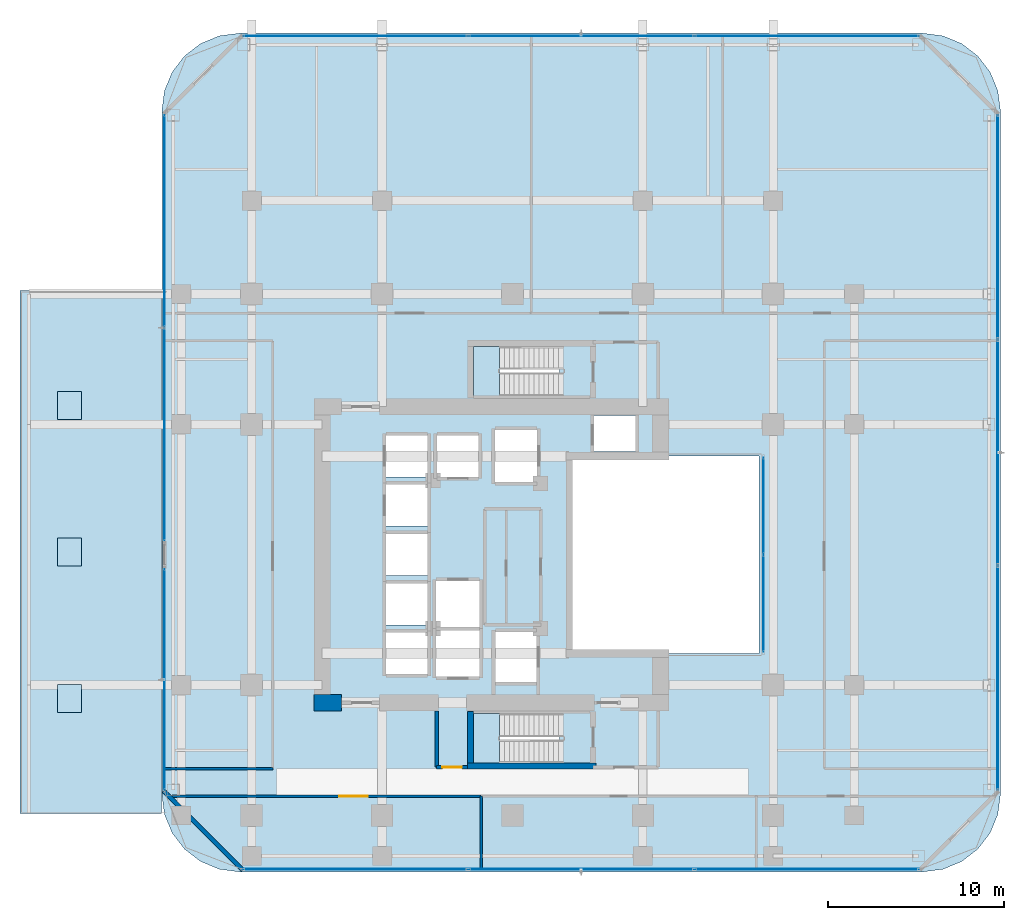
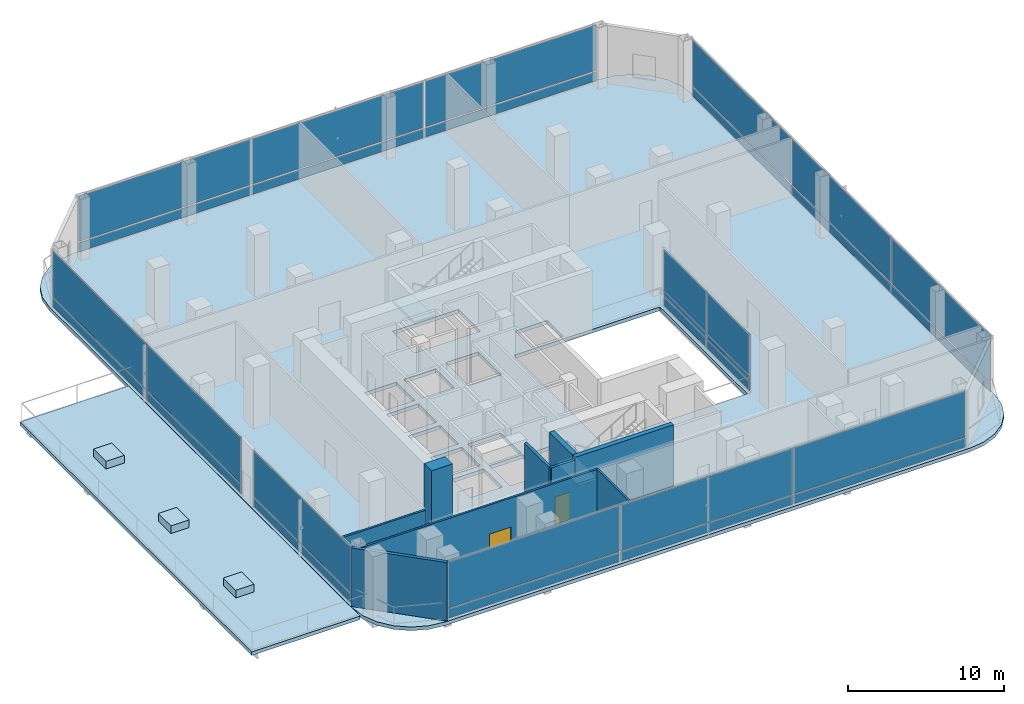
# One storey, part 20 of 28: 28 plates, 9 walls, 7 slabs, 2 doors, 2 openings, 8 elements without a shape of their own.
"""IFC4 building model written with IfcOpenShell, lengths in metres."""

from ifc_helpers import new_model, si_unit, direction, frame, frame_2d, origin, origin_2d, place, context, subcontext, project, spatial, polyline, rectangle, outline, extrude, material, layer, layer_set, type_object, element, fill, aggregate, save


model = new_model("IFC4")

# Units and contexts
model_context = context("Model", 3, precision=1e-05, world=origin(), true_north=direction((0.0, 1.0)))
body_context = subcontext(model_context, "Body", "Model", "MODEL_VIEW")
ifc_project = project(units=[si_unit("LENGTHUNIT", "METRE"), si_unit("AREAUNIT", "SQUARE_METRE"), si_unit("VOLUMEUNIT", "CUBIC_METRE"), si_unit("PLANEANGLEUNIT", "RADIAN"), si_unit("MASSUNIT", "GRAM", prefix="KILO")], contexts=[model_context])

# Site, building, storey
site_placement = place(None, origin())
site = spatial("IfcSite", under=ifc_project, at=site_placement, CompositionType="ELEMENT")
building_placement = place(site_placement, origin())
building = spatial("IfcBuilding", under=site, at=building_placement, Name="Khorvyn Point Tower", CompositionType="ELEMENT")
storey_placement = place(building_placement, frame((0.0, 0.0, 108.60009765625)))
storey = spatial("IfcBuildingStorey", under=building, at=storey_placement, Name="L27", CompositionType="ELEMENT", Elevation=108.60009765625)

# Slabs
ifc_material_1 = material(Name="Concrete C35/45", Category="concrete")
ifc_layer_1 = layer(ifc_material_1, 0.239990234375)
ifc_layer_set_1 = layer_set([ifc_layer_1], Name="Concrete C35/45 Setback Terrace Roof Slab 240")
slab_type_1 = type_object("IfcSlabType", Name="Concrete C35/45 Setback Terrace Roof Slab 240", PredefinedType="ROOF", material=ifc_layer_set_1)
slab_1_placement = place(storey_placement, frame((0.0, 0.0, -0.280029296875)))
element("IfcSlab", 1, at=slab_1_placement, inside=storey, type_object=slab_type_1, Name="L27 West Jenga Setback Sky-Garden Terrace", PredefinedType="ROOF", context=body_context, shape_type="SweptSolid", body=[
    extrude(outline(polyline([(-27.949951171875, -14.699951171875), (-19.919921875, -14.699951171875), (-19.919921875, 15.0), (-27.949951171875, 15.0), (-27.949951171875, -14.699951171875)])), origin(), (0.0, 0.0, 1.0), 0.280029296875),
])
ifc_layer_2 = layer(ifc_material_1, 0.60009765625)
ifc_layer_set_2 = layer_set([ifc_layer_2], Name="Concrete C35/45 Terrace Tree Planter 600")
slab_type_2 = type_object("IfcSlabType", Name="Concrete C35/45 Terrace Tree Planter 600", PredefinedType="USERDEFINED", material=ifc_layer_set_2)
slab_2_placement = place(storey_placement, origin())
element("IfcSlab", 2, at=slab_2_placement, inside=storey, type_object=slab_type_2, Name="L27 Sky-Terrace Structural Tree Planter 1", ObjectType="PLANTER", PredefinedType="USERDEFINED", context=body_context, shape_type="SweptSolid", body=[
    extrude(outline(polyline([(-25.814453125, -8.966064453125), (-24.464599609375, -8.966064453125), (-24.464599609375, -7.365966796875), (-25.814453125, -7.365966796875), (-25.814453125, -8.966064453125)])), origin(), (0.0, 0.0, 1.0), 0.599853515625),
])
slab_3_placement = place(storey_placement, origin())
element("IfcSlab", 3, at=slab_3_placement, inside=storey, type_object=slab_type_2, Name="L27 Sky-Terrace Structural Tree Planter 2", ObjectType="PLANTER", PredefinedType="USERDEFINED", context=body_context, shape_type="SweptSolid", body=[
    extrude(outline(polyline([(-25.814453125, -0.64990234375), (-24.464599609375, -0.64990234375), (-24.464599609375, 0.949951171875), (-25.814453125, 0.949951171875), (-25.814453125, -0.64990234375)])), origin(), (0.0, 0.0, 1.0), 0.599853515625),
])
slab_4_placement = place(storey_placement, origin())
element("IfcSlab", 4, at=slab_4_placement, inside=storey, type_object=slab_type_2, Name="L27 Sky-Terrace Structural Tree Planter 3", ObjectType="PLANTER", PredefinedType="USERDEFINED", context=body_context, shape_type="SweptSolid", body=[
    extrude(outline(polyline([(-25.814453125, 7.666015625), (-24.464599609375, 7.666015625), (-24.464599609375, 9.26611328125), (-25.814453125, 9.26611328125), (-25.814453125, 7.666015625)])), origin(), (0.0, 0.0, 1.0), 0.599853515625),
])

# Stair, slab
ifc_material_2 = material(Name="Concrete C40/50", Category="concrete")
stair_type = type_object("IfcStairType", Name="Tower Concrete C40/50 Dogleg Exit Stair", PredefinedType="HALF_TURN_STAIR", material=ifc_material_2)
stair_1_placement = place(storey_placement, origin())
stair_1 = element("IfcStair", 5, at=stair_1_placement, inside=storey, type_object=stair_type, Name="L27 Tower Smokeproof Exit Stair South", PredefinedType="HALF_TURN_STAIR")
ifc_layer_3 = layer(ifc_material_2, 0.199951171875)
ifc_layer_set_3 = layer_set([ifc_layer_3], Name="Concrete C40/50 Stair Landing Slab 200")
slab_type_3 = type_object("IfcSlabType", Name="Concrete C40/50 Stair Landing Slab 200", PredefinedType="LANDING", material=ifc_layer_set_3)
slab_5_placement = place(storey_placement, frame((0.0, 0.0, 2.199951171875)))
slab_5 = element("IfcSlab", 6, at=slab_5_placement, type_object=slab_type_3, Name="ST-01 landing 1", PredefinedType="LANDING", context=body_context, shape_type="SweptSolid", body=[
    extrude(outline(polyline([(-0.739990234375, -9.02001953125), (-2.199951171875, -9.02001953125), (-2.199951171875, -11.820068359375), (-0.739990234375, -11.820068359375), (-0.739990234375, -9.02001953125)])), origin(), (0.0, 0.0, 1.0), 0.199951171875),
])
aggregate(stair_1, [slab_5])

stair_2_placement = place(storey_placement, origin())
stair_2 = element("IfcStair", 7, at=stair_2_placement, inside=storey, type_object=stair_type, Name="L27 Tower Smokeproof Exit Stair North", PredefinedType="HALF_TURN_STAIR")
slab_6_placement = place(storey_placement, frame((0.0, 0.0, 2.199951171875)))
slab_6 = element("IfcSlab", 8, at=slab_6_placement, type_object=slab_type_3, Name="ST-02 landing 1", PredefinedType="LANDING", context=body_context, shape_type="SweptSolid", body=[
    extrude(outline(polyline([(-0.739990234375, 11.820068359375), (-2.199951171875, 11.820068359375), (-2.199951171875, 9.02001953125), (-0.739990234375, 9.02001953125), (-0.739990234375, 11.820068359375)])), origin(), (0.0, 0.0, 1.0), 0.199951171875),
])
aggregate(stair_2, [slab_6])

# Slab
ifc_layer_4 = layer(ifc_material_2, 0.280029296875)
ifc_layer_set_4 = layer_set([ifc_layer_4], Name="Concrete C40/50 Structural Floor Slab 280")
slab_type_4 = type_object("IfcSlabType", Name="Concrete C40/50 Structural Floor Slab 280", PredefinedType="FLOOR", material=ifc_layer_set_4)
slab_7_placement = place(storey_placement, frame((0.0, 0.0, -0.280029296875)))
element("IfcSlab", 9, at=slab_7_placement, inside=storey, type_object=slab_type_4, Name="L27 Main Structural Floor Slab", PredefinedType="FLOOR", context=body_context, shape_type="SweptSolid", body=[
    extrude(outline(polyline([(-15.5, -18.0), (-16.638916015625, -17.85009765625), (-17.699951171875, -17.410400390625), (-18.611328125, -16.711181640625), (-19.310546875, -15.800048828125), (-19.75, -14.73876953125), (-19.89990234375, -13.60009765625), (-19.89990234375, 25.199951171875), (-19.75, 26.3388671875), (-19.310546875, 27.39990234375), (-18.611328125, 28.311279296875), (-17.699951171875, 29.010498046875), (-16.638916015625, 29.4501953125), (-15.5, 29.60009765625), (23.300048828125, 29.60009765625), (24.438720703125, 29.4501953125), (25.5, 29.010498046875), (26.411376953125, 28.311279296875), (27.110595703125, 27.39990234375), (27.550048828125, 26.3388671875), (27.699951171875, 25.199951171875), (27.699951171875, -13.60009765625), (27.550048828125, -14.73876953125), (27.110595703125, -15.800048828125), (26.411376953125, -16.711181640625), (25.5, -17.410400390625), (24.438720703125, -17.85009765625), (23.300048828125, -18.0), (-15.5, -18.0)]), holes=[polyline([(-4.824951171875, -6.77490234375), (-4.824951171875, -4.425048828125), (-7.175048828125, -4.425048828125), (-7.175048828125, -6.77490234375), (-4.824951171875, -6.77490234375)]), polyline([(-4.324951171875, -6.89990234375), (-1.875, -6.89990234375), (-1.875, -4.300048828125), (-4.324951171875, -4.300048828125), (-4.324951171875, -6.89990234375)]), polyline([(-7.175048828125, -3.97509765625), (-4.824951171875, -3.97509765625), (-4.824951171875, -1.625), (-7.175048828125, -1.625), (-7.175048828125, -3.97509765625)]), polyline([(-7.175048828125, -1.175048828125), (-4.824951171875, -1.175048828125), (-4.824951171875, 1.175048828125), (-7.175048828125, 1.175048828125), (-7.175048828125, -1.175048828125)]), polyline([(-7.175048828125, 1.625), (-4.824951171875, 1.625), (-4.824951171875, 3.97509765625), (-7.175048828125, 3.97509765625), (-7.175048828125, 1.625)]), polyline([(-7.175048828125, 4.425048828125), (-4.824951171875, 4.425048828125), (-4.824951171875, 6.77490234375), (-7.175048828125, 6.77490234375), (-7.175048828125, 4.425048828125)]), polyline([(-4.27490234375, 4.425048828125), (-1.925048828125, 4.425048828125), (-1.925048828125, 6.77490234375), (-4.27490234375, 6.77490234375), (-4.27490234375, 4.425048828125)]), polyline([(2.679931640625, -11.820068359375), (2.679931640625, -9.02001953125), (-2.199951171875, -9.02001953125), (-2.199951171875, -11.820068359375), (2.679931640625, -11.820068359375)]), polyline([(-0.97509765625, -7.22509765625), (1.375, -7.22509765625), (1.375, -4.375), (-0.97509765625, -4.375), (-0.97509765625, -7.22509765625)]), polyline([(-4.324951171875, -4.10009765625), (-1.875, -4.10009765625), (-1.875, -1.5), (-4.324951171875, -1.5), (-4.324951171875, -4.10009765625)]), polyline([(3.199951171875, -5.60009765625), (14.0, -5.60009765625), (14.0, 5.60009765625), (3.199951171875, 5.60009765625), (3.199951171875, -5.60009765625)]), polyline([(-1.0, 4.125), (1.39990234375, 4.125), (1.39990234375, 7.074951171875), (-1.0, 7.074951171875), (-1.0, 4.125)]), polyline([(4.625, 5.85009765625), (6.97509765625, 5.85009765625), (6.97509765625, 7.905029296875), (4.625, 7.905029296875), (4.625, 5.85009765625)]), polyline([(-2.199951171875, 9.02001953125), (2.679931640625, 9.02001953125), (2.679931640625, 11.820068359375), (-2.199951171875, 11.820068359375), (-2.199951171875, 9.02001953125)])]), origin(), (0.0, 0.0, 1.0), 0.280029296875),
])

# Curtain wall, plates
ifc_material_3 = material(Name="Anodised aluminium 6063-T6 and laminated Low-E glass", Category="aluminium")
ifc_layer_5 = layer(ifc_material_3, 0.18994140625)
ifc_layer_set_5 = layer_set([ifc_layer_5], Name="Stick-Built Sky-Lobby Curtain Wall CW-SYS-05")
curtain_wall_type_1 = type_object("IfcCurtainWallType", Name="Stick-Built Sky-Lobby Curtain Wall CW-SYS-05", PredefinedType="NOTDEFINED", material=ifc_layer_set_5)
curtain_wall_1_placement = place(storey_placement, origin())
curtain_wall_1 = element("IfcCurtainWall", 10, at=curtain_wall_1_placement, inside=storey, type_object=curtain_wall_type_1, Name="Curtain Wall", PredefinedType="NOTDEFINED")
ifc_material_4 = material(Name="Pale anodised aluminium 5005", Category="aluminium")
ifc_layer_6 = layer(ifc_material_4, 0.0400390625)
ifc_layer_set_6 = layer_set([ifc_layer_6], Name="Pale Champagne Aluminium Insulated Spandrel Panel CW-SP40")
plate_type_1 = type_object("IfcPlateType", Name="Pale Champagne Aluminium Insulated Spandrel Panel CW-SP40", PredefinedType="SHEET", material=ifc_layer_set_6)
plate_1_placement = place(storey_placement, frame((16.708251953125, -17.85009765625, 0.10009765625), z_axis=(0.0, 0.0, 1.0), x_axis=(-1.0, 0.0, 0.0)))
plate_1 = element("IfcPlate", 11, at=plate_1_placement, type_object=plate_type_1, Name="Panel", PredefinedType="SHEET", context=body_context, shape_type="SweptSolid", body=[
    extrude(rectangle(XDim=12.683349609375, YDim=0.0400390625, at=origin_2d()), origin(), (0.0, 0.0, 1.0), 0.699951171875),
])
plate_2_placement = place(storey_placement, frame((3.89990234375, -17.85009765625, 0.10009765625), z_axis=(0.0, 0.0, 1.0), x_axis=(-1.0, 0.0, 0.0)))
plate_2 = element("IfcPlate", 12, at=plate_2_placement, type_object=plate_type_1, Name="Panel", PredefinedType="SHEET", context=body_context, shape_type="SweptSolid", body=[
    extrude(rectangle(XDim=12.7333984375, YDim=0.0400390625, at=origin_2d()), origin(), (0.0, 0.0, 1.0), 0.699951171875),
])
plate_3_placement = place(storey_placement, frame((-8.908447265625, -17.85009765625, 0.10009765625), z_axis=(0.0, 0.0, 1.0), x_axis=(-1.0, 0.0, 0.0)))
plate_3 = element("IfcPlate", 13, at=plate_3_placement, type_object=plate_type_1, Name="Panel", PredefinedType="SHEET", context=body_context, shape_type="SweptSolid", body=[
    extrude(rectangle(XDim=12.683349609375, YDim=0.0400390625, at=origin_2d()), origin(), (0.0, 0.0, 1.0), 0.699951171875),
])

curtain_wall_2_placement = place(storey_placement, origin())
curtain_wall_2 = element("IfcCurtainWall", 14, at=curtain_wall_2_placement, inside=storey, type_object=curtain_wall_type_1, Name="Curtain Wall", PredefinedType="NOTDEFINED")
plate_4_placement = place(storey_placement, frame((-8.908447265625, 29.449951171875, 0.10009765625), z_axis=(0.0, 0.0, 1.0), x_axis=(1.0, 0.0, 0.0)))
plate_4 = element("IfcPlate", 15, at=plate_4_placement, type_object=plate_type_1, Name="Panel", PredefinedType="SHEET", context=body_context, shape_type="SweptSolid", body=[
    extrude(rectangle(XDim=12.683349609375, YDim=0.0400390625, at=origin_2d()), origin(), (0.0, 0.0, 1.0), 0.699951171875),
])
plate_5_placement = place(storey_placement, frame((3.89990234375, 29.449951171875, 0.10009765625), z_axis=(0.0, 0.0, 1.0), x_axis=(1.0, 0.0, 0.0)))
plate_5 = element("IfcPlate", 16, at=plate_5_placement, type_object=plate_type_1, Name="Panel", PredefinedType="SHEET", context=body_context, shape_type="SweptSolid", body=[
    extrude(rectangle(XDim=12.7333984375, YDim=0.0400390625, at=origin_2d()), origin(), (0.0, 0.0, 1.0), 0.699951171875),
])
plate_6_placement = place(storey_placement, frame((16.708251953125, 29.449951171875, 0.10009765625), z_axis=(0.0, 0.0, 1.0), x_axis=(1.0, 0.0, 0.0)))
plate_6 = element("IfcPlate", 17, at=plate_6_placement, type_object=plate_type_1, Name="Panel", PredefinedType="SHEET", context=body_context, shape_type="SweptSolid", body=[
    extrude(rectangle(XDim=12.683349609375, YDim=0.0400390625, at=origin_2d()), origin(), (0.0, 0.0, 1.0), 0.699951171875),
])

# Curtain wall, plate
curtain_wall_3_placement = place(storey_placement, origin())
curtain_wall_3 = element("IfcCurtainWall", 18, at=curtain_wall_3_placement, inside=storey, type_object=curtain_wall_type_1, Name="Curtain Wall", PredefinedType="NOTDEFINED")
plate_7_placement = place(storey_placement, frame((-19.75, -7.0849609375, 0.10009765625), z_axis=(0.0, 0.0, 1.0), x_axis=(0.0, 1.0, 0.0)))
plate_7 = element("IfcPlate", 19, at=plate_7_placement, type_object=plate_type_1, Name="Panel", PredefinedType="SHEET", context=body_context, shape_type="SweptSolid", body=[
    extrude(rectangle(XDim=12.530029296875, YDim=0.0400390625, at=origin_2d()), origin(), (0.0, 0.0, 1.0), 0.699951171875),
])

# Curtain wall, plates
curtain_wall_4_placement = place(storey_placement, origin())
curtain_wall_4 = element("IfcCurtainWall", 20, at=curtain_wall_4_placement, inside=storey, type_object=curtain_wall_type_1, Name="Curtain Wall", PredefinedType="NOTDEFINED")
plate_8_placement = place(storey_placement, frame((-19.75, 6.827392578125, 0.10009765625), z_axis=(0.0, 0.0, 1.0), x_axis=(0.0, 1.0, 0.0)))
plate_8 = element("IfcPlate", 21, at=plate_8_placement, type_object=plate_type_1, Name="Panel", PredefinedType="SHEET", context=body_context, shape_type="SweptSolid", body=[
    extrude(rectangle(XDim=12.014892578125, YDim=0.0400390625, at=origin_2d()), origin(), (0.0, 0.0, 1.0), 0.699951171875),
])
plate_9_placement = place(storey_placement, frame((-19.75, 18.9423828125, 0.10009765625), z_axis=(0.0, 0.0, 1.0), x_axis=(0.0, 1.0, 0.0)))
plate_9 = element("IfcPlate", 22, at=plate_9_placement, type_object=plate_type_1, Name="Panel", PredefinedType="SHEET", context=body_context, shape_type="SweptSolid", body=[
    extrude(rectangle(XDim=12.014892578125, YDim=0.0400390625, at=origin_2d()), origin(), (0.0, 0.0, 1.0), 0.699951171875),
])

curtain_wall_5_placement = place(storey_placement, origin())
curtain_wall_5 = element("IfcCurtainWall", 23, at=curtain_wall_5_placement, inside=storey, type_object=curtain_wall_type_1, Name="Curtain Wall", PredefinedType="NOTDEFINED")
plate_10_placement = place(storey_placement, frame((27.550048828125, 18.6083984375, 0.10009765625), z_axis=(0.0, 0.0, 1.0), x_axis=(0.0, -1.0, 0.0)))
plate_10 = element("IfcPlate", 24, at=plate_10_placement, type_object=plate_type_1, Name="Panel", PredefinedType="SHEET", context=body_context, shape_type="SweptSolid", body=[
    extrude(rectangle(XDim=12.683349609375, YDim=0.0400390625, at=origin_2d()), origin(), (0.0, 0.0, 1.0), 0.699951171875),
])
plate_11_placement = place(storey_placement, frame((27.550048828125, 5.800048828125, 0.10009765625), z_axis=(0.0, 0.0, 1.0), x_axis=(0.0, -1.0, 0.0)))
plate_11 = element("IfcPlate", 25, at=plate_11_placement, type_object=plate_type_1, Name="Panel", PredefinedType="SHEET", context=body_context, shape_type="SweptSolid", body=[
    extrude(rectangle(XDim=12.7333984375, YDim=0.0400390625, at=origin_2d()), origin(), (0.0, 0.0, 1.0), 0.699951171875),
])
plate_12_placement = place(storey_placement, frame((27.550048828125, -7.00830078125, 0.10009765625), z_axis=(0.0, 0.0, 1.0), x_axis=(0.0, -1.0, 0.0)))
plate_12 = element("IfcPlate", 26, at=plate_12_placement, type_object=plate_type_1, Name="Panel", PredefinedType="SHEET", context=body_context, shape_type="SweptSolid", body=[
    extrude(rectangle(XDim=12.683349609375, YDim=0.0400390625, at=origin_2d()), origin(), (0.0, 0.0, 1.0), 0.699951171875),
])

ifc_layer_7 = layer(ifc_material_3, 0.18994140625)
ifc_layer_set_7 = layer_set([ifc_layer_7], Name="Stick-Built Crystal Atrium Curtain Wall CW-SYS-06")
curtain_wall_type_2 = type_object("IfcCurtainWallType", Name="Stick-Built Crystal Atrium Curtain Wall CW-SYS-06", PredefinedType="NOTDEFINED", material=ifc_layer_set_7)
curtain_wall_6_placement = place(storey_placement, origin())
curtain_wall_6 = element("IfcCurtainWall", 27, at=curtain_wall_6_placement, inside=storey, type_object=curtain_wall_type_2, Name="Curtain Wall", PredefinedType="NOTDEFINED")
plate_13_placement = place(storey_placement, frame((14.25, -2.77490234375, 0.10009765625), z_axis=(0.0, 0.0, 1.0), x_axis=(0.0, 1.0, 0.0)))
plate_13 = element("IfcPlate", 28, at=plate_13_placement, type_object=plate_type_1, Name="Panel", PredefinedType="SHEET", context=body_context, shape_type="SweptSolid", body=[
    extrude(rectangle(XDim=5.449951171875, YDim=0.0400390625, at=origin_2d()), origin(), (0.0, 0.0, 1.0), 0.699951171875),
])
plate_14_placement = place(storey_placement, frame((14.25, 2.77490234375, 0.10009765625), z_axis=(0.0, 0.0, 1.0), x_axis=(0.0, 1.0, 0.0)))
plate_14 = element("IfcPlate", 29, at=plate_14_placement, type_object=plate_type_1, Name="Panel", PredefinedType="SHEET", context=body_context, shape_type="SweptSolid", body=[
    extrude(rectangle(XDim=5.449951171875, YDim=0.0400390625, at=origin_2d()), origin(), (0.0, 0.0, 1.0), 0.699951171875),
])

# Plate
ifc_material_5 = material(Name="Laminated Low-E insulated glass", Category="glass")
ifc_layer_8 = layer(ifc_material_5, 0.028076171875)
ifc_layer_set_8 = layer_set([ifc_layer_8], Name="Tempered Low-E Vision Glazing Panel CW-GL28")
plate_type_2 = type_object("IfcPlateType", Name="Tempered Low-E Vision Glazing Panel CW-GL28", PredefinedType="CURTAIN_PANEL", material=ifc_layer_set_8)
plate_15_placement = place(storey_placement, frame((16.708251953125, -17.85009765625, 0.89990234375), z_axis=(0.0, 0.0, 1.0), x_axis=(-1.0, 0.0, 0.0)))
plate_15 = element("IfcPlate", 30, at=plate_15_placement, type_object=plate_type_2, Name="Panel", PredefinedType="CURTAIN_PANEL", context=body_context, shape_type="SweptSolid", body=[
    extrude(rectangle(XDim=12.683349609375, YDim=0.028076171875, at=origin_2d()), origin(), (0.0, 0.0, 1.0), 3.580078125),
])

plate_16_placement = place(storey_placement, frame((3.89990234375, -17.85009765625, 0.89990234375), z_axis=(0.0, 0.0, 1.0), x_axis=(-1.0, 0.0, 0.0)))
plate_16 = element("IfcPlate", 31, at=plate_16_placement, type_object=plate_type_2, Name="Panel", PredefinedType="CURTAIN_PANEL", context=body_context, shape_type="SweptSolid", body=[
    extrude(rectangle(XDim=12.7333984375, YDim=0.028076171875, at=origin_2d()), origin(), (0.0, 0.0, 1.0), 3.580078125),
])

plate_17_placement = place(storey_placement, frame((-8.908447265625, -17.85009765625, 0.89990234375), z_axis=(0.0, 0.0, 1.0), x_axis=(-1.0, 0.0, 0.0)))
plate_17 = element("IfcPlate", 32, at=plate_17_placement, type_object=plate_type_2, Name="Panel", PredefinedType="CURTAIN_PANEL", context=body_context, shape_type="SweptSolid", body=[
    extrude(rectangle(XDim=12.683349609375, YDim=0.028076171875, at=origin_2d()), origin(), (0.0, 0.0, 1.0), 3.580078125),
])

aggregate(curtain_wall_1, [plate_1, plate_15, plate_2, plate_16, plate_3, plate_17])

plate_18_placement = place(storey_placement, frame((-8.908447265625, 29.449951171875, 0.89990234375), z_axis=(0.0, 0.0, 1.0), x_axis=(1.0, 0.0, 0.0)))
plate_18 = element("IfcPlate", 33, at=plate_18_placement, type_object=plate_type_2, Name="Panel", PredefinedType="CURTAIN_PANEL", context=body_context, shape_type="SweptSolid", body=[
    extrude(rectangle(XDim=12.683349609375, YDim=0.028076171875, at=origin_2d()), origin(), (0.0, 0.0, 1.0), 3.580078125),
])

plate_19_placement = place(storey_placement, frame((3.89990234375, 29.449951171875, 0.89990234375), z_axis=(0.0, 0.0, 1.0), x_axis=(1.0, 0.0, 0.0)))
plate_19 = element("IfcPlate", 34, at=plate_19_placement, type_object=plate_type_2, Name="Panel", PredefinedType="CURTAIN_PANEL", context=body_context, shape_type="SweptSolid", body=[
    extrude(rectangle(XDim=12.7333984375, YDim=0.028076171875, at=origin_2d()), origin(), (0.0, 0.0, 1.0), 3.580078125),
])

plate_20_placement = place(storey_placement, frame((16.708251953125, 29.449951171875, 0.89990234375), z_axis=(0.0, 0.0, 1.0), x_axis=(1.0, 0.0, 0.0)))
plate_20 = element("IfcPlate", 35, at=plate_20_placement, type_object=plate_type_2, Name="Panel", PredefinedType="CURTAIN_PANEL", context=body_context, shape_type="SweptSolid", body=[
    extrude(rectangle(XDim=12.683349609375, YDim=0.028076171875, at=origin_2d()), origin(), (0.0, 0.0, 1.0), 3.580078125),
])

aggregate(curtain_wall_2, [plate_4, plate_18, plate_5, plate_19, plate_6, plate_20])

plate_21_placement = place(storey_placement, frame((-19.75, -7.0849609375, 0.89990234375), z_axis=(0.0, 0.0, 1.0), x_axis=(0.0, 1.0, 0.0)))
plate_21 = element("IfcPlate", 36, at=plate_21_placement, type_object=plate_type_2, Name="Panel", PredefinedType="CURTAIN_PANEL", context=body_context, shape_type="SweptSolid", body=[
    extrude(rectangle(XDim=12.530029296875, YDim=0.028076171875, at=origin_2d()), origin(), (0.0, 0.0, 1.0), 3.580078125),
])

aggregate(curtain_wall_3, [plate_7, plate_21])

plate_22_placement = place(storey_placement, frame((-19.75, 6.827392578125, 0.89990234375), z_axis=(0.0, 0.0, 1.0), x_axis=(0.0, 1.0, 0.0)))
plate_22 = element("IfcPlate", 37, at=plate_22_placement, type_object=plate_type_2, Name="Panel", PredefinedType="CURTAIN_PANEL", context=body_context, shape_type="SweptSolid", body=[
    extrude(rectangle(XDim=12.014892578125, YDim=0.028076171875, at=origin_2d()), origin(), (0.0, 0.0, 1.0), 3.580078125),
])

plate_23_placement = place(storey_placement, frame((-19.75, 18.9423828125, 0.89990234375), z_axis=(0.0, 0.0, 1.0), x_axis=(0.0, 1.0, 0.0)))
plate_23 = element("IfcPlate", 38, at=plate_23_placement, type_object=plate_type_2, Name="Panel", PredefinedType="CURTAIN_PANEL", context=body_context, shape_type="SweptSolid", body=[
    extrude(rectangle(XDim=12.014892578125, YDim=0.028076171875, at=origin_2d()), origin(), (0.0, 0.0, 1.0), 3.580078125),
])

aggregate(curtain_wall_4, [plate_8, plate_22, plate_9, plate_23])

plate_24_placement = place(storey_placement, frame((27.550048828125, 18.6083984375, 0.89990234375), z_axis=(0.0, 0.0, 1.0), x_axis=(0.0, -1.0, 0.0)))
plate_24 = element("IfcPlate", 39, at=plate_24_placement, type_object=plate_type_2, Name="Panel", PredefinedType="CURTAIN_PANEL", context=body_context, shape_type="SweptSolid", body=[
    extrude(rectangle(XDim=12.683349609375, YDim=0.028076171875, at=origin_2d()), origin(), (0.0, 0.0, 1.0), 3.580078125),
])

plate_25_placement = place(storey_placement, frame((27.550048828125, 5.800048828125, 0.89990234375), z_axis=(0.0, 0.0, 1.0), x_axis=(0.0, -1.0, 0.0)))
plate_25 = element("IfcPlate", 40, at=plate_25_placement, type_object=plate_type_2, Name="Panel", PredefinedType="CURTAIN_PANEL", context=body_context, shape_type="SweptSolid", body=[
    extrude(rectangle(XDim=12.7333984375, YDim=0.028076171875, at=origin_2d()), origin(), (0.0, 0.0, 1.0), 3.580078125),
])

plate_26_placement = place(storey_placement, frame((27.550048828125, -7.00830078125, 0.89990234375), z_axis=(0.0, 0.0, 1.0), x_axis=(0.0, -1.0, 0.0)))
plate_26 = element("IfcPlate", 41, at=plate_26_placement, type_object=plate_type_2, Name="Panel", PredefinedType="CURTAIN_PANEL", context=body_context, shape_type="SweptSolid", body=[
    extrude(rectangle(XDim=12.683349609375, YDim=0.028076171875, at=origin_2d()), origin(), (0.0, 0.0, 1.0), 3.580078125),
])

aggregate(curtain_wall_5, [plate_10, plate_24, plate_11, plate_25, plate_12, plate_26])

plate_27_placement = place(storey_placement, frame((14.25, -2.77490234375, 0.89990234375), z_axis=(0.0, 0.0, 1.0), x_axis=(0.0, 1.0, 0.0)))
plate_27 = element("IfcPlate", 42, at=plate_27_placement, type_object=plate_type_2, Name="Panel", PredefinedType="CURTAIN_PANEL", context=body_context, shape_type="SweptSolid", body=[
    extrude(rectangle(XDim=5.449951171875, YDim=0.028076171875, at=origin_2d()), origin(), (0.0, 0.0, 1.0), 3.580078125),
])

plate_28_placement = place(storey_placement, frame((14.25, 2.77490234375, 0.89990234375), z_axis=(0.0, 0.0, 1.0), x_axis=(0.0, 1.0, 0.0)))
plate_28 = element("IfcPlate", 43, at=plate_28_placement, type_object=plate_type_2, Name="Panel", PredefinedType="CURTAIN_PANEL", context=body_context, shape_type="SweptSolid", body=[
    extrude(rectangle(XDim=5.449951171875, YDim=0.028076171875, at=origin_2d()), origin(), (0.0, 0.0, 1.0), 3.580078125),
])

aggregate(curtain_wall_6, [plate_13, plate_27, plate_14, plate_28])

# Wall
ifc_material_6 = material(Name="Pale anodised aluminium rainscreen on steel stud", Category="steel")
ifc_layer_9 = layer(ifc_material_6, 0.239990234375)
ifc_layer_set_9 = layer_set([ifc_layer_9], Name="Anodised Aluminium Insulated Corner Spandrel Wall 240")
wall_type_1 = type_object("IfcWallType", Name="Anodised Aluminium Insulated Corner Spandrel Wall 240", PredefinedType="SOLIDWALL", material=ifc_layer_set_9)
wall_1_placement = place(storey_placement, frame((-15.3076171875, -17.892333984375, 0.0), z_axis=(0.0, 0.0, 1.0), x_axis=(-0.707126027686, 0.707087534163, 0.0)))
element("IfcWall", 44, at=wall_1_placement, inside=storey, type_object=wall_type_1, Name="L27 Rounded Corner Wall SW", PredefinedType="SOLIDWALL", context=body_context, shape_type="SweptSolid", body=[
    extrude(rectangle(XDim=6.34228515625, YDim=0.239990234375, at=frame_2d((3.171142578125, 0.0))), origin(), (0.0, 0.0, 1.0), 4.579833984375),
])

# Wall, opening, door
ifc_layer_10 = layer(ifc_material_2, 0.199951171875)
ifc_layer_set_10 = layer_set([ifc_layer_10], Name="Concrete C40/50 Fire-Lobby Compartment Wall 200")
wall_type_2 = type_object("IfcWallType", Name="Concrete C40/50 Fire-Lobby Compartment Wall 200", PredefinedType="SOLIDWALL", material=ifc_layer_set_10)
wall_2_placement = place(storey_placement, frame((-4.300048828125, -12.06005859375, 0.0), z_axis=(0.0, 0.0, 1.0), x_axis=(1.0, 0.0, 0.0)))
wall_2 = element("IfcWall", 45, at=wall_2_placement, inside=storey, type_object=wall_type_2, Name="Wall", PredefinedType="SOLIDWALL", context=body_context, shape_type="SweptSolid", body=[
    extrude(rectangle(XDim=1.75, YDim=0.199951171875, at=frame_2d((0.875, 0.0))), origin(), (0.0, 0.0, 1.0), 4.579833984375),
])
opening_1_placement = place(wall_2_placement, frame((0.324951171875, 0.0, 0.0)))
opening_1 = element("IfcOpeningElement", 46, at=opening_1_placement, cuts=wall_2, Name="Opening ID-FL90", PredefinedType="OPENING", context=body_context, shape_type="SweptSolid", body=[
    extrude(rectangle(XDim=1.10009765625, YDim=2.14990234375, at=frame_2d((0.550048828125, 1.074951171875))), frame((0.0, 0.10986328125, 0.0), z_axis=(0.0, -1.0, 0.0), x_axis=(1.0, 0.0, 0.0)), (0.0, 0.0, 1.0), 0.219970703125),
])
ifc_material_7 = material(Name="Galvanised powder-coated steel", Category="steel")
door_type_1 = type_object("IfcDoorType", Name="Fire-Rated Steel Lobby and Stair Door 1100x2150", OperationType="NOTDEFINED", PredefinedType="DOOR", material=ifc_material_7)
door_1_placement = place(opening_1_placement, origin())
door_1 = element("IfcDoor", 47, at=door_1_placement, inside=storey, type_object=door_type_1, Name="Door", OperationType="SINGLE_SWING_LEFT", OverallHeight=2.14990234375, OverallWidth=1.10009765625, PredefinedType="DOOR", context=body_context, shape_type="SweptSolid", body=[
    extrude(rectangle(XDim=1.10009765625, YDim=2.14990234375, at=frame_2d((0.550048828125, 1.074951171875))), frame((0.0, 0.02490234375, 0.0), z_axis=(0.0, -1.0, 0.0), x_axis=(1.0, 0.0, 0.0)), (0.0, 0.0, 1.0), 0.050048828125),
])
fill(opening_1, door_1)

# Walls
wall_3_placement = place(storey_placement, frame((-4.300048828125, -12.06005859375, 0.0), z_axis=(0.0, 0.0, 1.0), x_axis=(0.0, 1.0, 0.0)))
element("IfcWall", 48, at=wall_3_placement, inside=storey, type_object=wall_type_2, Name="Wall", PredefinedType="SOLIDWALL", context=body_context, shape_type="SweptSolid", body=[
    extrude(rectangle(XDim=3.18505859375, YDim=0.199951171875, at=frame_2d((1.592529296875, 0.0))), origin(), (0.0, 0.0, 1.0), 4.579833984375),
])
ifc_layer_11 = layer(ifc_material_2, 0.35009765625)
ifc_layer_set_11 = layer_set([ifc_layer_11], Name="Concrete C40/50 Stair Shaft Structural Wall 350")
wall_type_3 = type_object("IfcWallType", Name="Concrete C40/50 Stair Shaft Structural Wall 350", PredefinedType="SHEAR", material=ifc_layer_set_11)
wall_4_placement = place(storey_placement, frame((-2.554931640625, -12.0, 0.0), z_axis=(0.0, 0.0, 1.0), x_axis=(1.0, 0.0, 0.0)))
element("IfcWall", 49, at=wall_4_placement, inside=storey, type_object=wall_type_3, Name="L27 ST-01 South Shaft Wall", PredefinedType="SHEAR", context=body_context, shape_type="SweptSolid", body=[
    extrude(rectangle(XDim=7.309814453125, YDim=0.35009765625, at=frame_2d((3.65478515625, 0.0))), origin(), (0.0, 0.0, 1.0), 4.7998046875),
])
wall_5_placement = place(storey_placement, frame((-2.3798828125, -11.824951171875, 0.0), z_axis=(0.0, 0.0, 1.0), x_axis=(0.0, 1.0, 0.0)))
element("IfcWall", 50, at=wall_5_placement, inside=storey, type_object=wall_type_3, Name="L27 ST-01 West Shaft Wall", PredefinedType="SHEAR", context=body_context, shape_type="SweptSolid", body=[
    extrude(rectangle(XDim=2.925048828125, YDim=0.35009765625, at=frame_2d((1.46240234375, 0.0))), origin(), (0.0, 0.0, 1.0), 4.7998046875),
])
ifc_material_8 = material(Name="Concrete C50/60", Category="concrete")
ifc_layer_12 = layer(ifc_material_8, 0.949951171875)
ifc_layer_set_12 = layer_set([ifc_layer_12], Name="Concrete C50/60 Core Shear Wall 950")
wall_type_4 = type_object("IfcWallType", Name="Concrete C50/60 Core Shear Wall 950", PredefinedType="SHEAR", material=ifc_layer_set_12)
wall_6_placement = place(storey_placement, frame((-11.27490234375, -8.39990234375, 0.0), z_axis=(0.0, 0.0, 1.0), x_axis=(1.0, 0.0, 0.0)))
element("IfcWall", 51, at=wall_6_placement, inside=storey, type_object=wall_type_4, Name="Wall", PredefinedType="SHEAR", context=body_context, shape_type="SweptSolid", body=[
    extrude(rectangle(XDim=1.574951171875, YDim=0.949951171875, at=frame_2d((0.78759765625, 0.0))), origin(), (0.0, 0.0, 1.0), 4.7998046875),
])

# Wall, opening, door
ifc_material_9 = material(Name="Moisture-resistant gypsum and cement board", Category="gypsum")
ifc_layer_13 = layer(ifc_material_9, 0.14990234375)
ifc_layer_set_13 = layer_set([ifc_layer_13], Name="Moisture-Resistant Wet-Room Partition Wall 150")
wall_type_5 = type_object("IfcWallType", Name="Moisture-Resistant Wet-Room Partition Wall 150", PredefinedType="PARTITIONING", material=ifc_layer_set_13)
wall_7_placement = place(storey_placement, frame((-19.330078125, -13.699951171875, 0.0), z_axis=(0.0, 0.0, 1.0), x_axis=(1.0, 0.0, 0.0)))
wall_7 = element("IfcWall", 52, at=wall_7_placement, inside=storey, type_object=wall_type_5, Name="Wall", PredefinedType="PARTITIONING", context=body_context, shape_type="SweptSolid", body=[
    extrude(rectangle(XDim=17.55615234375, YDim=0.14990234375, at=frame_2d((8.778076171875, 0.0))), origin(), (0.0, 0.0, 1.0), 4.579833984375),
])
opening_2_placement = place(wall_7_placement, frame((9.505615234375, 0.0, 0.0)))
opening_2 = element("IfcOpeningElement", 53, at=opening_2_placement, cuts=wall_7, Name="Opening ID-LB30", PredefinedType="OPENING", context=body_context, shape_type="SweptSolid", body=[
    extrude(rectangle(XDim=1.60009765625, YDim=2.300048828125, at=frame_2d((0.800048828125, 1.14990234375))), frame((0.0, 0.0849609375, 0.0), z_axis=(0.0, -1.0, 0.0), x_axis=(1.0, 0.0, 0.0)), (0.0, 0.0, 1.0), 0.169921875),
])
ifc_material_10 = material(Name="Anodised aluminium 6063-T6 and tempered glass", Category="aluminium")
door_type_2 = type_object("IfcDoorType", Name="Glazed Aluminium Sky-Lobby Double Swing Door 1600x2300", OperationType="DOUBLE_DOOR_SINGLE_SWING", PredefinedType="DOOR", material=ifc_material_10)
door_2_placement = place(opening_2_placement, origin())
door_2 = element("IfcDoor", 54, at=door_2_placement, inside=storey, type_object=door_type_2, Name="Door", OperationType="SINGLE_SWING_LEFT", OverallHeight=2.300048828125, OverallWidth=1.60009765625, PredefinedType="DOOR", context=body_context, shape_type="SweptSolid", body=[
    extrude(rectangle(XDim=1.60009765625, YDim=2.300048828125, at=frame_2d((0.800048828125, 1.14990234375))), frame((0.0, 0.02490234375, 0.0), z_axis=(0.0, -1.0, 0.0), x_axis=(1.0, 0.0, 0.0)), (0.0, 0.0, 1.0), 0.050048828125),
])
fill(opening_2, door_2)

# Walls
wall_8_placement = place(storey_placement, frame((-1.77392578125, -17.830078125, 0.0), z_axis=(0.0, 0.0, 1.0), x_axis=(0.0, 1.0, 0.0)))
element("IfcWall", 55, at=wall_8_placement, inside=storey, type_object=wall_type_5, Name="Wall", PredefinedType="PARTITIONING", context=body_context, shape_type="SweptSolid", body=[
    extrude(rectangle(XDim=4.130126953125, YDim=0.14990234375, at=frame_2d((2.06494140625, 0.0))), origin(), (0.0, 0.0, 1.0), 4.579833984375),
])
wall_9_placement = place(storey_placement, frame((-19.72998046875, -12.139892578125, 0.0), z_axis=(0.0, 0.0, 1.0), x_axis=(1.0, 0.0, 0.0)))
element("IfcWall", 56, at=wall_9_placement, inside=storey, type_object=wall_type_5, Name="Wall", PredefinedType="PARTITIONING", context=body_context, shape_type="SweptSolid", body=[
    extrude(rectangle(XDim=6.1298828125, YDim=0.14990234375, at=frame_2d((3.06494140625, 0.0))), origin(), (0.0, 0.0, 1.0), 4.579833984375),
])

save(model, "model.ifc")
